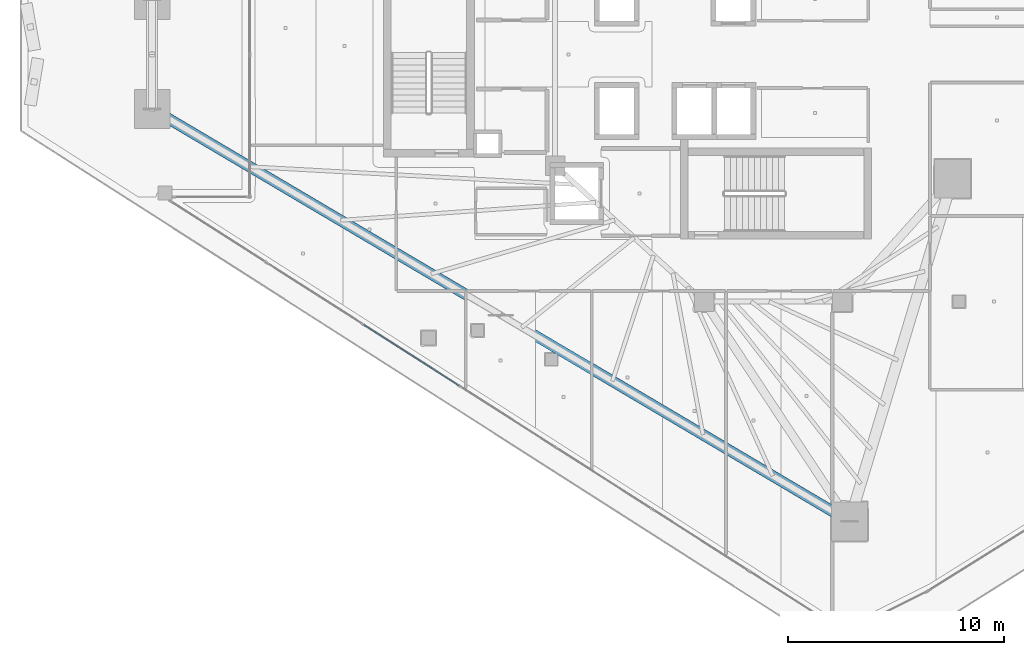
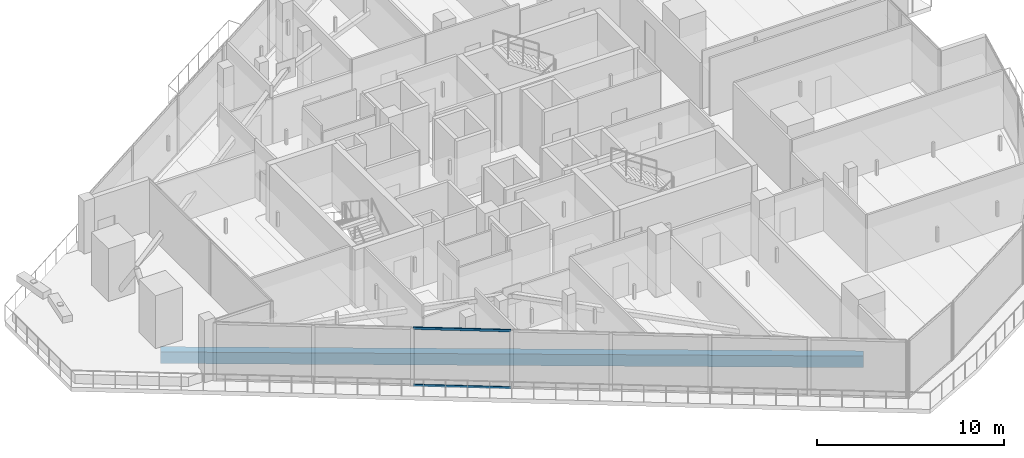
# One storey, part 4 of 40: 2 members, 1 beam, 1 element without a shape of its own.
"""IFC4 building model written with IfcOpenShell, lengths in metres."""

from ifc_helpers import new_model, si_unit, direction, frame, origin, origin_2d, place, context, subcontext, project, spatial, rectangle, hollow_rectangle, extrude, material, layer, layer_set, material_profile, profile_set, type_object, element, aggregate, save


model = new_model("IFC4")

# Units and contexts
model_context = context("Model", 3, precision=1e-05, world=origin(), true_north=direction((0.0, 1.0)))
body_context = subcontext(model_context, "Body", "Model", "MODEL_VIEW")
ifc_project = project(units=[si_unit("LENGTHUNIT", "METRE"), si_unit("AREAUNIT", "SQUARE_METRE"), si_unit("VOLUMEUNIT", "CUBIC_METRE"), si_unit("PLANEANGLEUNIT", "RADIAN"), si_unit("MASSUNIT", "GRAM", prefix="KILO")], contexts=[model_context])

# Site, building, storey
site_placement = place(None, origin())
site = spatial("IfcSite", under=ifc_project, at=site_placement, CompositionType="ELEMENT")
building_placement = place(site_placement, origin())
building = spatial("IfcBuilding", under=site, at=building_placement, Name="Qorvath Tower", CompositionType="ELEMENT")
storey_placement = place(building_placement, frame((0.0, 0.0, 225.300048828125)))
storey = spatial("IfcBuildingStorey", under=building, at=storey_placement, Name="L52", CompositionType="ELEMENT", Elevation=225.300048828125)

# Beam
ifc_material_1 = material(Name="Concrete C45/55", Category="concrete")
ifc_material_profile_1 = material_profile(ifc_material_1, rectangle(XDim=0.5, YDim=0.75, at=origin_2d()), Name="RCB 750x500")
ifc_profile_set_1 = profile_set([ifc_material_profile_1], Name="Concrete C45/55")
beam_type = type_object("IfcBeamType", Name="BM-RCB3", PredefinedType="SPANDREL", material=ifc_profile_set_1)
beam_placement = place(storey_placement, frame((-49.171875, -2.52783203125, -0.64501953125), z_axis=(0.860776759786, -0.50898268125, 0.0), x_axis=(0.50898268125, 0.860776759786, 0.0)))
element("IfcBeam", 1, at=beam_placement, inside=storey, type_object=beam_type, Name="Perimeter Loggia Frame Beam MC2-MC3 L52", PredefinedType="SPANDREL", context=body_context, shape_type="SweptSolid", body=[
    extrude(rectangle(XDim=0.5, YDim=0.75, at=origin_2d()), origin(), (0.0, 0.0, 1.0), 37.524658203125),
])

# Curtain wall, members
ifc_material_2 = material(Name="Anodised aluminium and triple low-E glass", Category="aluminium")
ifc_layer = layer(ifc_material_2, 0.179931640625)
ifc_layer_set = layer_set([ifc_layer], Name="CW-SYS-5")
curtain_wall_type = type_object("IfcCurtainWallType", Name="CW-SYS-5", PredefinedType="NOTDEFINED", material=ifc_layer_set)
curtain_wall_placement = place(storey_placement, origin())
curtain_wall = element("IfcCurtainWall", 2, at=curtain_wall_placement, inside=storey, type_object=curtain_wall_type, Name="Curtain Wall CW-5 CW-T-L52-4.1", PredefinedType="NOTDEFINED")
ifc_material_3 = material(Name="Anodised aluminium 6063-T6", Category="aluminium")
ifc_material_profile_2 = material_profile(ifc_material_3, hollow_rectangle(XDim=0.06494140625, YDim=0.159912109375, WallThickness=0.00341796875, InnerFilletRadius=0.00341796875, OuterFilletRadius=0.007080078125, at=origin_2d()), Name="CWT 160x65")
ifc_profile_set_2 = profile_set([ifc_material_profile_2], Name="Anodised aluminium 6063-T6")
member_type = type_object("IfcMemberType", Name="CWT-160", PredefinedType="USERDEFINED", material=ifc_profile_set_2)
member_1_placement = place(storey_placement, frame((-39.373291015625, -12.5234375, 0.032470703125), z_axis=(0.842605566515, -0.538531205482, 0.0), x_axis=(0.538531205482, 0.842605566515, 0.0)))
member_1 = element("IfcMember", 3, at=member_1_placement, type_object=member_type, Name="CW-5 transom 3.1", ObjectType="TRANSOM", PredefinedType="USERDEFINED", context=body_context, shape_type="SweptSolid", body=[
    extrude(hollow_rectangle(XDim=0.06494140625, YDim=0.159912109375, WallThickness=0.00341796875, InnerFilletRadius=0.00341796875, OuterFilletRadius=0.007080078125, at=origin_2d()), origin(), (0.0, 0.0, 1.0), 5.225341796875),
])
member_2_placement = place(storey_placement, frame((-39.373291015625, -12.5234375, 3.74755859375), z_axis=(0.842605566515, -0.538531205482, 0.0), x_axis=(0.538531205482, 0.842605566515, 0.0)))
member_2 = element("IfcMember", 4, at=member_2_placement, type_object=member_type, Name="CW-5 transom 3.2", ObjectType="TRANSOM", PredefinedType="USERDEFINED", context=body_context, shape_type="SweptSolid", body=[
    extrude(hollow_rectangle(XDim=0.06494140625, YDim=0.159912109375, WallThickness=0.00341796875, InnerFilletRadius=0.00341796875, OuterFilletRadius=0.007080078125, at=origin_2d()), origin(), (0.0, 0.0, 1.0), 5.225341796875),
])
aggregate(curtain_wall, [member_1, member_2])

save(model, "model.ifc")
